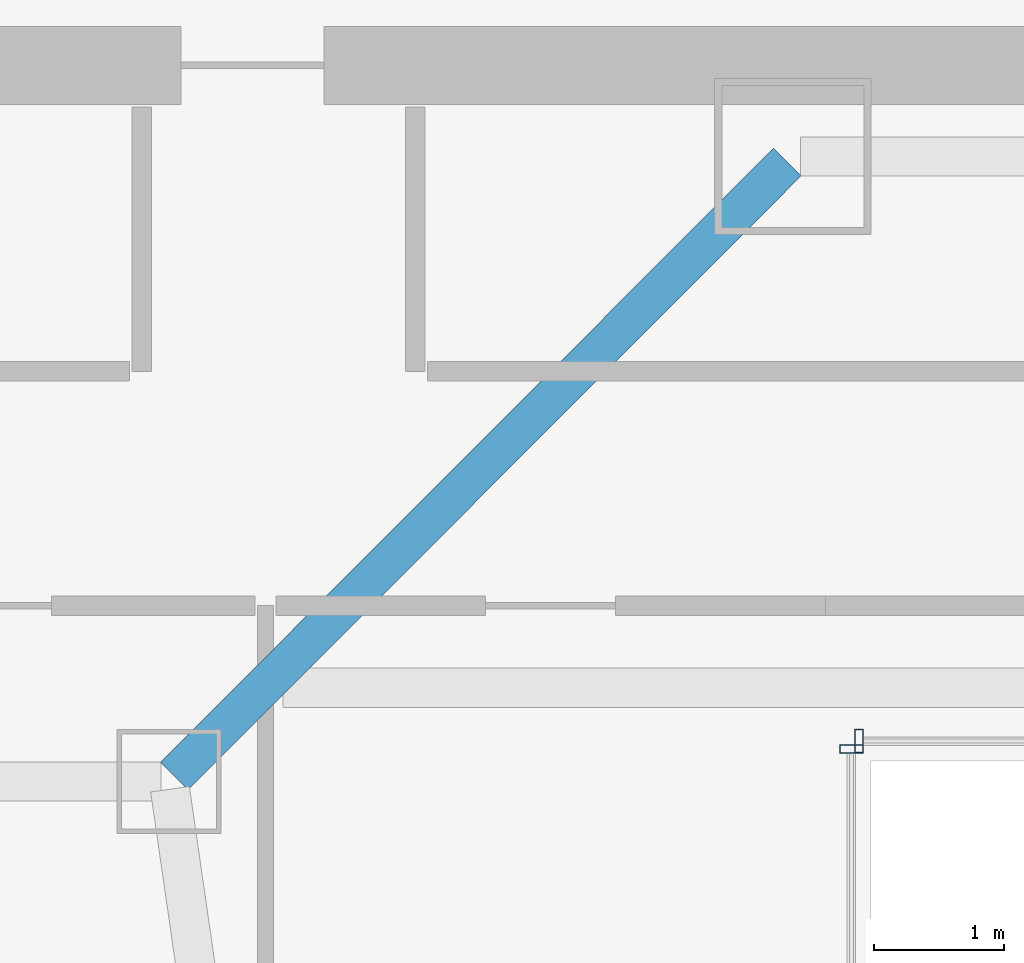
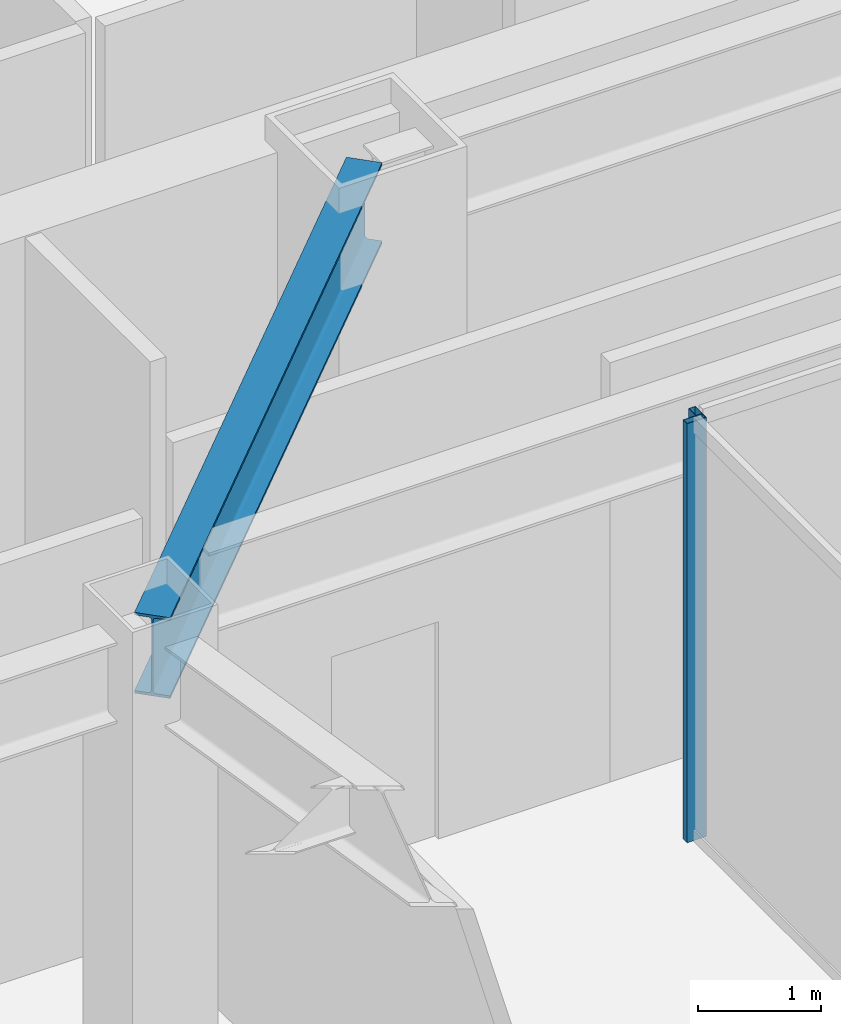
# One storey, part 24 of 47: 2 members, 1 beam, 2 elements without a shape of their own.
"""IFC4 building model written with IfcOpenShell, lengths in metres."""

from ifc_helpers import new_model, si_unit, direction, frame, origin, origin_2d, place, context, subcontext, project, spatial, hollow_rectangle, i_section, extrude, material, material_profile, profile_set, type_object, element, aggregate, save


model = new_model("IFC4")

# Units and contexts
model_context = context("Model", 3, precision=1e-05, world=origin(), true_north=direction((0.0, 1.0)))
body_context = subcontext(model_context, "Body", "Model", "MODEL_VIEW")
ifc_project = project(units=[si_unit("LENGTHUNIT", "METRE"), si_unit("AREAUNIT", "SQUARE_METRE"), si_unit("VOLUMEUNIT", "CUBIC_METRE"), si_unit("PLANEANGLEUNIT", "RADIAN"), si_unit("MASSUNIT", "GRAM", prefix="KILO")], contexts=[model_context])

# Site, building, storey
site_placement = place(None, origin())
site = spatial("IfcSite", under=ifc_project, at=site_placement, CompositionType="ELEMENT")
building_placement = place(site_placement, origin())
building = spatial("IfcBuilding", under=site, at=building_placement, Name="Saevonmaru Cultural Tower", CompositionType="ELEMENT")
storey_placement = place(building_placement, frame((0.0, 0.0, 78.0)))
storey = spatial("IfcBuildingStorey", under=building, at=storey_placement, Name="L16", CompositionType="ELEMENT", Elevation=78.0)

# Beam
ifc_material_1 = material(Name="Steel SM420", Category="steel")
ifc_material_profile_1 = material_profile(ifc_material_1, i_section(OverallWidth=0.300048828125, OverallDepth=0.800048828125, WebThickness=0.013916015625, FlangeThickness=0.02587890625, FilletRadius=0.028076171875, at=origin_2d()), Name="H-800x300x14x26")
ifc_profile_set_1 = profile_set([ifc_material_profile_1], Name="Steel SM420")
beam_type = type_object("IfcBeamType", Name="BM-G-H800", PredefinedType="BEAM", material=ifc_profile_set_1)
beam_placement = place(storey_placement, frame((18.850341796875, 37.642578125, 3.75), z_axis=(0.706538566564, 0.707674539572, 0.0), x_axis=(-0.707674539572, 0.706538566564, 0.0)))
element("IfcBeam", 1, at=beam_placement, inside=storey, type_object=beam_type, Name="L16 West Atrium Girder 6", PredefinedType="BEAM", context=body_context, shape_type="SweptSolid", body=[
    extrude(i_section(OverallWidth=0.300048828125, OverallDepth=0.800048828125, WebThickness=0.013916015625, FlangeThickness=0.02587890625, FilletRadius=0.028076171875, at=origin_2d()), origin(), (0.0, 0.0, 1.0), 6.662353515625),
])

# Curtain wall, member
ifc_material_2 = material(Name="Satin Bronze Anodised Aluminium", Category="aluminium")
curtain_wall_type = type_object("IfcCurtainWallType", Name="CW-ATR-GLZ", PredefinedType="NOTDEFINED", material=ifc_material_2)
curtain_wall_1_placement = place(storey_placement, origin())
curtain_wall_1 = element("IfcCurtainWall", 2, at=curtain_wall_1_placement, inside=storey, type_object=curtain_wall_type, Name="L16 Vertical Atrium Glazed Smoke Screen 3", PredefinedType="NOTDEFINED")
ifc_material_profile_2 = material_profile(ifc_material_2, hollow_rectangle(XDim=0.06494140625, YDim=0.179931640625, WallThickness=0.00390625, at=origin_2d()), Name="ALU-MULL-180x65x4")
ifc_profile_set_2 = profile_set([ifc_material_profile_2], Name="Satin Bronze Anodised Aluminium")
member_type = type_object("IfcMemberType", Name="ML-CW-INT-180x65", PredefinedType="MULLION", material=ifc_profile_set_2)
member_1_placement = place(storey_placement, frame((24.110107421875, 37.909912109375, 0.0), z_axis=(0.0, 0.0, 1.0), x_axis=(-1.0, 0.0, 0.0)))
member_1 = element("IfcMember", 3, at=member_1_placement, type_object=member_type, Name="CW-ATR-L16-3 mullion 2", PredefinedType="MULLION", context=body_context, shape_type="SweptSolid", body=[
    extrude(hollow_rectangle(XDim=0.06494140625, YDim=0.179931640625, WallThickness=0.00390625, at=origin_2d()), origin(), (0.0, 0.0, 1.0), 4.14990234375),
])
aggregate(curtain_wall_1, [member_1])

curtain_wall_2_placement = place(storey_placement, origin())
curtain_wall_2 = element("IfcCurtainWall", 4, at=curtain_wall_2_placement, inside=storey, type_object=curtain_wall_type, Name="L16 Vertical Atrium Glazed Smoke Screen 4", PredefinedType="NOTDEFINED")
member_2_placement = place(storey_placement, frame((24.050048828125, 37.85009765625, 0.0), z_axis=(0.0, 0.0, 1.0), x_axis=(0.0, -1.0, 0.0)))
member_2 = element("IfcMember", 5, at=member_2_placement, type_object=member_type, Name="CW-ATR-L16-4 mullion 1", PredefinedType="MULLION", context=body_context, shape_type="SweptSolid", body=[
    extrude(hollow_rectangle(XDim=0.06494140625, YDim=0.179931640625, WallThickness=0.00390625, at=origin_2d()), origin(), (0.0, 0.0, 1.0), 4.14990234375),
])
aggregate(curtain_wall_2, [member_2])

save(model, "model.ifc")
